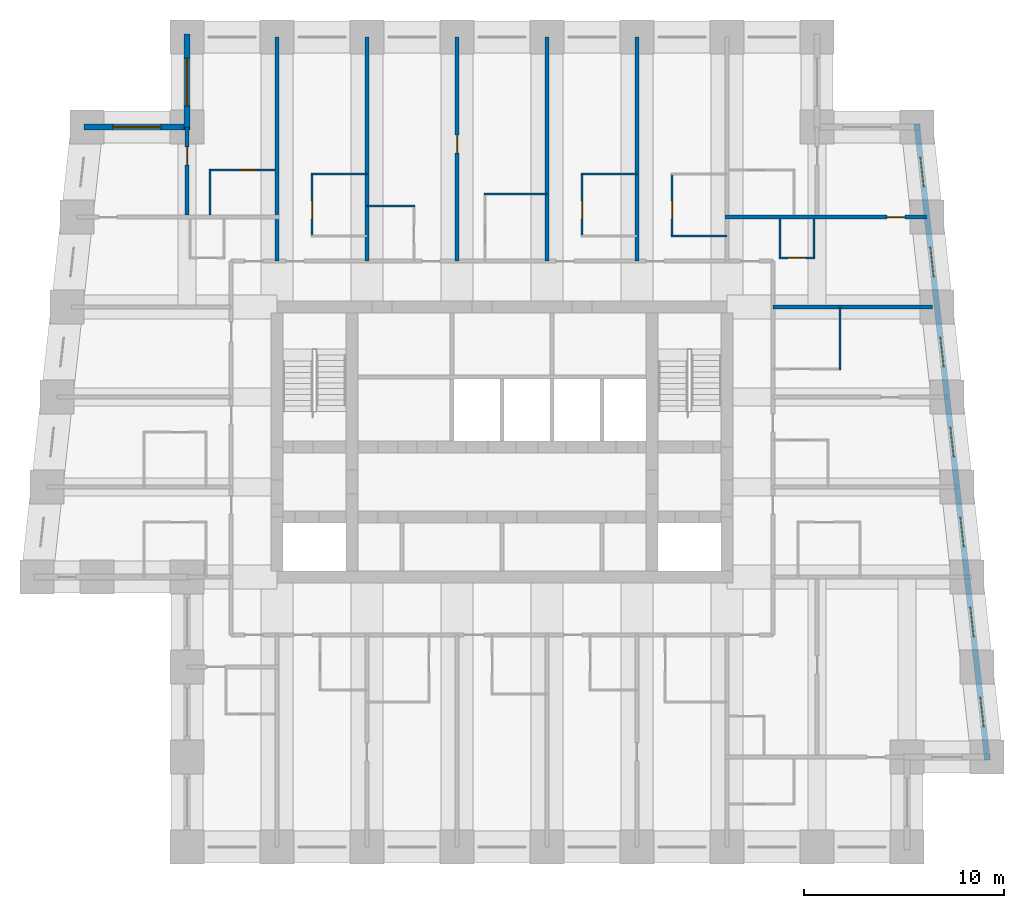
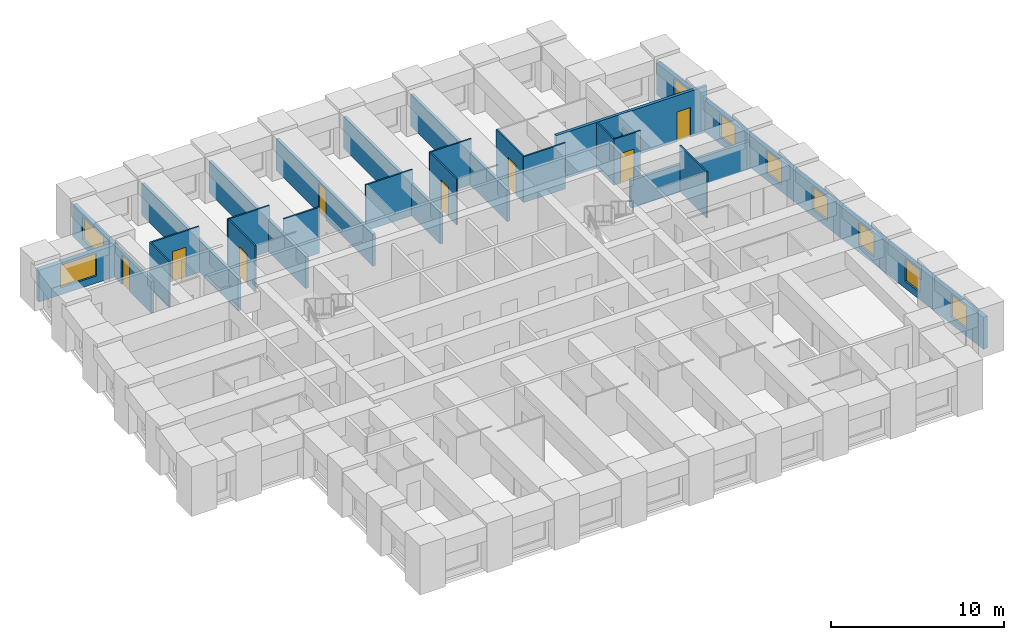
# One storey, part 6 of 8: 25 walls, 9 windows, 8 doors, 17 openings.
"""IFC4 building model written with IfcOpenShell, lengths in metres."""

import ifcopenshell
import ifcopenshell.guid

model = None  # the IFC model being written
_history = None  # IfcOwnerHistory: only IFC2X3 demands one
_inside = {}  # id of a spatial element -> (the spatial element, [elements in it])
_under = {}  # id of a project, library or spatial element -> (it, [spatial elements below it])
_declared = {}  # id of a project -> (the project, [libraries it declares])
_typed = {}  # id of a type object -> (the type object, [elements of that type])
_made_of = {}  # id of a material, layer set ... -> (it, [elements and type objects made of it])


def new_model(schema):
    """Start an empty IFC model of exactly this schema.

    Asked for "IFC4X3", IfcOpenShell would pick the latest addendum, in which some entities
    have other attributes; the version numbers below select the first issue.
    IFC2X3 requires an IfcOwnerHistory on every rooted entity: one is made here for all.
    """
    global model, _history
    if schema == "IFC4X3":
        model = ifcopenshell.file(schema_version=(4, 3, 0, 0))
    else:
        model = ifcopenshell.file(schema=schema)
    _inside.clear()
    _under.clear()
    _declared.clear()
    _typed.clear()
    _made_of.clear()
    _history = None
    if model.schema == "IFC2X3":
        org = make("IfcOrganization", Name="unknown")
        user = make(
            "IfcPersonAndOrganization",
            ThePerson=make("IfcPerson", FamilyName="unknown"),
            TheOrganization=org,
        )
        app = make(
            "IfcApplication",
            ApplicationDeveloper=org,
            Version="unknown",
            ApplicationFullName="unknown",
            ApplicationIdentifier="unknown",
        )
        _history = make(
            "IfcOwnerHistory",
            OwningUser=user,
            OwningApplication=app,
            ChangeAction="ADDED",
            CreationDate=0,
        )
    return model


def make(cls, **values):
    """One entity of the class cls with the attributes given. An attribute that is None is left unset."""
    return model.create_entity(
        cls, **{name: value for name, value in values.items() if value is not None}
    )


def rooted(cls, **values):
    """An entity with a GlobalId (a new one), such as an element, a storey or a relation."""
    return make(cls, GlobalId=ifcopenshell.guid.new(), OwnerHistory=_history, **values)


def si_unit(unit_type, name, prefix=None):
    """IfcSIUnit, for example si_unit("LENGTHUNIT", "METRE", prefix="MILLI")."""
    return make("IfcSIUnit", UnitType=unit_type, Prefix=prefix, Name=name)


def assignment(units):
    """IfcUnitAssignment: the units of a project."""
    return None if units is None else make("IfcUnitAssignment", Units=units)


def point(xyz):
    """IfcCartesianPoint."""
    return None if xyz is None else make("IfcCartesianPoint", Coordinates=xyz)


def direction(xyz):
    """IfcDirection."""
    return None if xyz is None else make("IfcDirection", DirectionRatios=xyz)


def frame(location, z_axis=None, x_axis=None):
    """IfcAxis2Placement3D, a coordinate frame: its origin and axes. An axis left out is left unset."""
    return make(
        "IfcAxis2Placement3D",
        Location=point(location),
        Axis=direction(z_axis),
        RefDirection=direction(x_axis),
    )


def frame_2d(location, x_axis=None):
    """IfcAxis2Placement2D, a coordinate frame in the plane: its origin and x axis."""
    return make(
        "IfcAxis2Placement2D", Location=point(location), RefDirection=direction(x_axis)
    )


def origin():
    """The frame at (0, 0, 0) with its axes left unset."""
    return frame((0.0, 0.0, 0.0))


def place(relative_to, where):
    """IfcLocalPlacement: puts the frame where relative to a parent placement (None: the world)."""
    return make(
        "IfcLocalPlacement", PlacementRelTo=relative_to, RelativePlacement=where
    )


def context(
    kind, dimensions, precision=None, world=None, true_north=None, identifier=None
):
    """IfcGeometricRepresentationContext, for example the 3D "Model" context."""
    return make(
        "IfcGeometricRepresentationContext",
        ContextIdentifier=identifier,
        ContextType=kind,
        CoordinateSpaceDimension=dimensions,
        Precision=precision,
        WorldCoordinateSystem=world,
        TrueNorth=true_north,
    )


def subcontext(parent, identifier, kind, view, scale=None):
    """IfcGeometricRepresentationSubContext, for example "Body" below "Model"."""
    return make(
        "IfcGeometricRepresentationSubContext",
        ContextIdentifier=identifier,
        ContextType=kind,
        ParentContext=parent,
        TargetScale=scale,
        TargetView=view,
    )


def project(units=None, contexts=None):
    """IfcProject with its units and contexts."""
    return rooted(
        "IfcProject",
        Name="project",
        RepresentationContexts=contexts,
        UnitsInContext=assignment(units),
    )


def spatial(cls, under=None, at=None, **own):
    """A site, building, storey or space (cls), placed at a placement, below another one or the project."""
    s = rooted(cls, ObjectPlacement=at, **own)
    if under is not None:
        _under.setdefault(under.id(), (under, []))[1].append(s)
    return s


def profile(cls, at=None, kind="AREA", **sizes):
    """A parametric profile (cls). Its sizes go by their IFC names, for example OverallWidth=200.0."""
    return make(cls, ProfileType=kind, Position=at, **sizes)


def rectangle(**sizes):
    """IfcRectangleProfileDef."""
    return profile("IfcRectangleProfileDef", **sizes)


def extrude(swept, where, along, depth):
    """IfcExtrudedAreaSolid: the profile swept, set in the frame where, extruded along a direction by depth."""
    return make(
        "IfcExtrudedAreaSolid",
        SweptArea=swept,
        Position=where,
        ExtrudedDirection=direction(along),
        Depth=depth,
    )


def shape(context_of_items, identifier, shape_type, items):
    """IfcShapeRepresentation: the items that make up one representation, for example the "Body"."""
    return make(
        "IfcShapeRepresentation",
        ContextOfItems=context_of_items,
        RepresentationIdentifier=identifier,
        RepresentationType=shape_type,
        Items=items,
    )


def material(Name=None, Category=None):
    """IfcMaterial."""
    return make("IfcMaterial", Name=Name, Category=Category)


def layer(
    of_material, thickness, ventilated=None, Name=None, Category=None, Priority=None
):
    """IfcMaterialLayer: one layer of a wall or slab, of a material (None: an air gap)."""
    return make(
        "IfcMaterialLayer",
        Material=of_material,
        LayerThickness=thickness,
        IsVentilated=ventilated,
        Name=Name,
        Category=Category,
        Priority=Priority,
    )


def layer_set(layers, Name=None):
    """IfcMaterialLayerSet."""
    return make("IfcMaterialLayerSet", MaterialLayers=layers, LayerSetName=Name)


def made_of(thing, what):
    """Note that an element or type object is made of a material, layer set ...; save() writes the relation."""
    if what is not None:
        _made_of.setdefault(what.id(), (what, []))[1].append(thing)
    return thing


def type_object(cls, material=None, **own):
    """A type object (cls), such as IfcWallType, which elements share."""
    return made_of(rooted(cls, **own), material)


def element(
    cls,
    number,
    at=None,
    inside=None,
    cuts=None,
    type_object=None,
    material=None,
    context=None,
    identifier="Body",
    shape_type=None,
    held_by="IfcProductDefinitionShape",
    body=None,
    shapes=None,
    **own,
):
    """One element of the class cls, such as IfcWall. Its Tag is "e" and its number.

    at: its placement. inside: the storey or other place that contains it. cuts: it is an
    opening in that element (IfcRelVoidsElement). A single representation is given by context,
    identifier, shape_type and body (its items); several are given by shapes. held_by: the class
    of the entity that holds the representations. save() writes the other relations.
    """
    e = rooted(cls, Tag="e%d" % number, ObjectPlacement=at, **own)
    if body is not None:
        shapes = [shape(context, identifier, shape_type, body)]
    if shapes is not None:
        e.Representation = make(held_by, Representations=shapes)
    if inside is not None:
        _inside.setdefault(inside.id(), (inside, []))[1].append(e)
    if cuts is not None:
        rooted(
            "IfcRelVoidsElement", RelatingBuildingElement=cuts, RelatedOpeningElement=e
        )
    if type_object is not None:
        _typed.setdefault(type_object.id(), (type_object, []))[1].append(e)
    return made_of(e, material)


def fill(opening, filler):
    """IfcRelFillsElement: the door or window that sits in an opening."""
    return rooted(
        "IfcRelFillsElement",
        RelatingOpeningElement=opening,
        RelatedBuildingElement=filler,
    )


def aggregate(whole, parts):
    """IfcRelAggregates: a whole, such as a stair, and the parts it consists of."""
    return rooted("IfcRelAggregates", RelatingObject=whole, RelatedObjects=parts)


def save(model, path):
    """Write the relations noted so far, then the file.

    IfcRelAggregates (storeys below a building ...), IfcRelContainedInSpatialStructure (elements
    in a storey), IfcRelDefinesByType, IfcRelAssociatesMaterial and IfcRelDeclares: one each for
    every whole, place, type object, material and project.
    """
    for whole, parts in _under.values():
        aggregate(whole, parts)
    for where, things in _inside.values():
        rooted(
            "IfcRelContainedInSpatialStructure",
            RelatedElements=things,
            RelatingStructure=where,
        )
    for kind, things in _typed.values():
        rooted("IfcRelDefinesByType", RelatedObjects=things, RelatingType=kind)
    for what, things in _made_of.values():
        rooted("IfcRelAssociatesMaterial", RelatedObjects=things, RelatingMaterial=what)
    for by, libraries in _declared.values():
        rooted("IfcRelDeclares", RelatingContext=by, RelatedDefinitions=libraries)
    model.write(path)


model = new_model("IFC4")

# Units and contexts
model_context = context("Model", 3, precision=1e-05, world=origin(), true_north=direction((0.0, 1.0)))
body_context = subcontext(model_context, "Body", "Model", "MODEL_VIEW")
ifc_project = project(units=[si_unit("LENGTHUNIT", "METRE"), si_unit("AREAUNIT", "SQUARE_METRE"), si_unit("VOLUMEUNIT", "CUBIC_METRE"), si_unit("PLANEANGLEUNIT", "RADIAN"), si_unit("MASSUNIT", "GRAM", prefix="KILO")], contexts=[model_context])

# Site, building, storey
site_placement = place(None, origin())
site = spatial("IfcSite", under=ifc_project, at=site_placement, CompositionType="ELEMENT")
building_placement = place(site_placement, origin())
building = spatial("IfcBuilding", under=site, at=building_placement, Name="Kilele Tower Hotel", CompositionType="ELEMENT")
storey_placement = place(building_placement, frame((0.0, 0.0, 169.39990234375)))
storey = spatial("IfcBuildingStorey", under=building, at=storey_placement, Name="L43", CompositionType="ELEMENT", Elevation=169.39990234375)

# Walls
ifc_material_1 = material(Name="Moisture-resistant board")
ifc_layer_1 = layer(ifc_material_1, 0.10009765625)
ifc_layer_set_1 = layer_set([ifc_layer_1], Name="Moisture-resistant board")
wall_type_1 = type_object("IfcWallType", Name="Bathroom partition 100", PredefinedType="PLUMBINGWALL", material=ifc_layer_set_1)
wall_1_placement = place(storey_placement, frame((41.64990234375, 23.85009765625, 0.0), z_axis=(0.0, 0.0, 1.0), x_axis=(0.0, 1.0, 0.0)))
element("IfcWall", 1, at=wall_1_placement, inside=storey, type_object=wall_type_1, Name="Bathroom partition 100 L43", PredefinedType="PLUMBINGWALL", context=body_context, shape_type="SweptSolid", body=[
    extrude(rectangle(XDim=3.14990234375, YDim=0.10009765625, at=frame_2d((1.574951171875, 0.0))), origin(), (0.0, 0.0, 1.0), 3.25),
])
wall_2_placement = place(storey_placement, frame((15.199951171875, 33.64990234375, 0.0), z_axis=(0.0, 0.0, 1.0), x_axis=(1.0, 0.0, 0.0)))
element("IfcWall", 2, at=wall_2_placement, inside=storey, type_object=wall_type_1, Name="Bathroom partition 100 L43", PredefinedType="PLUMBINGWALL", context=body_context, shape_type="SweptSolid", body=[
    extrude(rectangle(XDim=2.800048828125, YDim=0.10009765625, at=frame_2d((1.39990234375, 0.0))), origin(), (0.0, 0.0, 1.0), 3.25),
])

# Wall, opening, door
wall_3_placement = place(storey_placement, frame((15.25, 30.5, 0.0), z_axis=(0.0, 0.0, 1.0), x_axis=(0.0, 1.0, 0.0)))
wall_3 = element("IfcWall", 3, at=wall_3_placement, inside=storey, type_object=wall_type_1, Name="Bathroom partition 100 L43", PredefinedType="PLUMBINGWALL", context=body_context, shape_type="SweptSolid", body=[
    extrude(rectangle(XDim=3.199951171875, YDim=0.10009765625, at=frame_2d((1.60009765625, 0.0))), origin(), (0.0, 0.0, 1.0), 3.25),
])
opening_1_placement = place(wall_3_placement, frame((0.89990234375, 0.0, 0.0)))
opening_1 = element("IfcOpeningElement", 4, at=opening_1_placement, cuts=wall_3, Name="Opening D2A", PredefinedType="OPENING", context=body_context, shape_type="SweptSolid", body=[
    extrude(rectangle(XDim=0.89990234375, YDim=2.10009765625, at=frame_2d((0.449951171875, 1.050048828125))), frame((0.0, 0.06005859375, 0.0), z_axis=(0.0, -1.0, 0.0), x_axis=(1.0, 0.0, 0.0)), (0.0, 0.0, 1.0), 0.1201171875),
])
ifc_material_2 = material(Name="Timber door leaf in hardwood frame", Category="wood")
door_type_1 = type_object("IfcDoorType", Name="Bathroom door 900", OperationType="SINGLE_SWING_LEFT", PredefinedType="DOOR", material=ifc_material_2)
door_1_placement = place(opening_1_placement, origin())
door_1 = element("IfcDoor", 5, at=door_1_placement, inside=storey, type_object=door_type_1, Name="Bathroom door 4309B", OperationType="SINGLE_SWING_LEFT", OverallHeight=2.10009765625, OverallWidth=0.89990234375, PredefinedType="DOOR", context=body_context, shape_type="SweptSolid", body=[
    extrude(rectangle(XDim=0.89990234375, YDim=2.10009765625, at=frame_2d((0.449951171875, 1.050048828125))), frame((0.0, 0.02490234375, 0.0), z_axis=(0.0, -1.0, 0.0), x_axis=(1.0, 0.0, 0.0)), (0.0, 0.0, 1.0), 0.050048828125),
])
fill(opening_1, door_1)

# Walls
wall_4_placement = place(storey_placement, frame((18.0, 32.050048828125, 0.0), z_axis=(0.0, 0.0, 1.0), x_axis=(1.0, 0.0, 0.0)))
element("IfcWall", 6, at=wall_4_placement, inside=storey, type_object=wall_type_1, Name="Bathroom partition 100 L43", PredefinedType="PLUMBINGWALL", context=body_context, shape_type="SweptSolid", body=[
    extrude(rectangle(XDim=2.39990234375, YDim=0.10009765625, at=frame_2d((1.199951171875, 0.0))), origin(), (0.0, 0.0, 1.0), 3.25),
])
wall_5_placement = place(storey_placement, frame((23.85009765625, 32.64990234375, 0.0), z_axis=(0.0, 0.0, 1.0), x_axis=(1.0, 0.0, 0.0)))
element("IfcWall", 7, at=wall_5_placement, inside=storey, type_object=wall_type_1, Name="Bathroom partition 100 L43", PredefinedType="PLUMBINGWALL", context=body_context, shape_type="SweptSolid", body=[
    extrude(rectangle(XDim=3.14990234375, YDim=0.10009765625, at=frame_2d((1.574951171875, 0.0))), origin(), (0.0, 0.0, 1.0), 3.25),
])
wall_6_placement = place(storey_placement, frame((28.699951171875, 33.64990234375, 0.0), z_axis=(0.0, 0.0, 1.0), x_axis=(1.0, 0.0, 0.0)))
element("IfcWall", 8, at=wall_6_placement, inside=storey, type_object=wall_type_1, Name="Bathroom partition 100 L43", PredefinedType="PLUMBINGWALL", context=body_context, shape_type="SweptSolid", body=[
    extrude(rectangle(XDim=2.800048828125, YDim=0.10009765625, at=frame_2d((1.39990234375, 0.0))), origin(), (0.0, 0.0, 1.0), 3.25),
])

# Wall, opening, door
wall_7_placement = place(storey_placement, frame((28.75, 30.5, 0.0), z_axis=(0.0, 0.0, 1.0), x_axis=(0.0, 1.0, 0.0)))
wall_7 = element("IfcWall", 9, at=wall_7_placement, inside=storey, type_object=wall_type_1, Name="Bathroom partition 100 L43", PredefinedType="PLUMBINGWALL", context=body_context, shape_type="SweptSolid", body=[
    extrude(rectangle(XDim=3.199951171875, YDim=0.10009765625, at=frame_2d((1.60009765625, 0.0))), origin(), (0.0, 0.0, 1.0), 3.25),
])
opening_2_placement = place(wall_7_placement, frame((0.89990234375, 0.0, 0.0)))
opening_2 = element("IfcOpeningElement", 10, at=opening_2_placement, cuts=wall_7, Name="Opening D2A", PredefinedType="OPENING", context=body_context, shape_type="SweptSolid", body=[
    extrude(rectangle(XDim=0.89990234375, YDim=2.10009765625, at=frame_2d((0.449951171875, 1.050048828125))), frame((0.0, 0.06005859375, 0.0), z_axis=(0.0, -1.0, 0.0), x_axis=(1.0, 0.0, 0.0)), (0.0, 0.0, 1.0), 0.1201171875),
])
door_2_placement = place(opening_2_placement, origin())
door_2 = element("IfcDoor", 11, at=door_2_placement, inside=storey, type_object=door_type_1, Name="Bathroom door 4312B", OperationType="SINGLE_SWING_LEFT", OverallHeight=2.10009765625, OverallWidth=0.89990234375, PredefinedType="DOOR", context=body_context, shape_type="SweptSolid", body=[
    extrude(rectangle(XDim=0.89990234375, YDim=2.10009765625, at=frame_2d((0.449951171875, 1.050048828125))), frame((0.0, 0.02490234375, 0.0), z_axis=(0.0, -1.0, 0.0), x_axis=(1.0, 0.0, 0.0)), (0.0, 0.0, 1.0), 0.050048828125),
])
fill(opening_2, door_2)

# Wall
wall_8_placement = place(storey_placement, frame((33.199951171875, 30.550048828125, 0.0), z_axis=(0.0, 0.0, 1.0), x_axis=(1.0, 0.0, 0.0)))
element("IfcWall", 12, at=wall_8_placement, inside=storey, type_object=wall_type_1, Name="Bathroom partition 100 L43", PredefinedType="PLUMBINGWALL", context=body_context, shape_type="SweptSolid", body=[
    extrude(rectangle(XDim=2.800048828125, YDim=0.10009765625, at=frame_2d((1.39990234375, 0.0))), origin(), (0.0, 0.0, 1.0), 3.25),
])

# Wall, opening, door
wall_9_placement = place(storey_placement, frame((33.25, 30.5, 0.0), z_axis=(0.0, 0.0, 1.0), x_axis=(0.0, 1.0, 0.0)))
wall_9 = element("IfcWall", 13, at=wall_9_placement, inside=storey, type_object=wall_type_1, Name="Bathroom partition 100 L43", PredefinedType="PLUMBINGWALL", context=body_context, shape_type="SweptSolid", body=[
    extrude(rectangle(XDim=3.199951171875, YDim=0.10009765625, at=frame_2d((1.60009765625, 0.0))), origin(), (0.0, 0.0, 1.0), 3.25),
])
opening_3_placement = place(wall_9_placement, frame((0.89990234375, 0.0, 0.0)))
opening_3 = element("IfcOpeningElement", 14, at=opening_3_placement, cuts=wall_9, Name="Opening D2A", PredefinedType="OPENING", context=body_context, shape_type="SweptSolid", body=[
    extrude(rectangle(XDim=0.89990234375, YDim=2.10009765625, at=frame_2d((0.449951171875, 1.050048828125))), frame((0.0, 0.06005859375, 0.0), z_axis=(0.0, -1.0, 0.0), x_axis=(1.0, 0.0, 0.0)), (0.0, 0.0, 1.0), 0.1201171875),
])
door_3_placement = place(opening_3_placement, origin())
door_3 = element("IfcDoor", 15, at=door_3_placement, inside=storey, type_object=door_type_1, Name="Bathroom door 4313B", OperationType="SINGLE_SWING_LEFT", OverallHeight=2.10009765625, OverallWidth=0.89990234375, PredefinedType="DOOR", context=body_context, shape_type="SweptSolid", body=[
    extrude(rectangle(XDim=0.89990234375, YDim=2.10009765625, at=frame_2d((0.449951171875, 1.050048828125))), frame((0.0, 0.02490234375, 0.0), z_axis=(0.0, -1.0, 0.0), x_axis=(1.0, 0.0, 0.0)), (0.0, 0.0, 1.0), 0.050048828125),
])
fill(opening_3, door_3)

# Walls
wall_10_placement = place(storey_placement, frame((40.35009765625, 31.39990234375, 0.0), z_axis=(0.0, 0.0, 1.0), x_axis=(0.0, -1.0, 0.0)))
element("IfcWall", 16, at=wall_10_placement, inside=storey, type_object=wall_type_1, Name="Bathroom partition 100 L43", PredefinedType="PLUMBINGWALL", context=body_context, shape_type="SweptSolid", body=[
    extrude(rectangle(XDim=2.0, YDim=0.10009765625, at=frame_2d((1.0, 0.0))), origin(), (0.0, 0.0, 1.0), 2.25),
])
wall_11_placement = place(storey_placement, frame((38.64990234375, 31.39990234375, 0.0), z_axis=(0.0, 0.0, 1.0), x_axis=(0.0, -1.0, 0.0)))
element("IfcWall", 17, at=wall_11_placement, inside=storey, type_object=wall_type_1, Name="Bathroom partition 100 L43", PredefinedType="PLUMBINGWALL", context=body_context, shape_type="SweptSolid", body=[
    extrude(rectangle(XDim=2.0, YDim=0.10009765625, at=frame_2d((1.0, 0.0))), origin(), (0.0, 0.0, 1.0), 3.25),
])

# Wall, opening, door
wall_12_placement = place(storey_placement, frame((38.60009765625, 29.449951171875, 0.0), z_axis=(0.0, 0.0, 1.0), x_axis=(1.0, 0.0, 0.0)))
wall_12 = element("IfcWall", 18, at=wall_12_placement, inside=storey, type_object=wall_type_1, Name="Bathroom partition 100 L43", PredefinedType="PLUMBINGWALL", context=body_context, shape_type="SweptSolid", body=[
    extrude(rectangle(XDim=1.7998046875, YDim=0.10009765625, at=frame_2d((0.89990234375, 0.0))), origin(), (0.0, 0.0, 1.0), 3.25),
])
opening_4_placement = place(wall_12_placement, frame((1.349853515625, 0.0, 0.0), z_axis=(0.0, 0.0, 1.0), x_axis=(-1.0, 0.0, 0.0)))
opening_4 = element("IfcOpeningElement", 19, at=opening_4_placement, cuts=wall_12, Name="Opening D2A", PredefinedType="OPENING", context=body_context, shape_type="SweptSolid", body=[
    extrude(rectangle(XDim=0.89990234375, YDim=2.10009765625, at=frame_2d((0.449951171875, 1.050048828125))), frame((0.0, 0.06005859375, 0.0), z_axis=(0.0, -1.0, 0.0), x_axis=(1.0, 0.0, 0.0)), (0.0, 0.0, 1.0), 0.1201171875),
])
door_4_placement = place(opening_4_placement, origin())
door_4 = element("IfcDoor", 20, at=door_4_placement, inside=storey, type_object=door_type_1, Name="Bathroom door 4322P", OperationType="SINGLE_SWING_RIGHT", OverallHeight=2.10009765625, OverallWidth=0.89990234375, PredefinedType="DOOR", context=body_context, shape_type="SweptSolid", body=[
    extrude(rectangle(XDim=0.89990234375, YDim=2.10009765625, at=frame_2d((0.449951171875, 1.050048828125))), frame((0.0, 0.02490234375, 0.0), z_axis=(0.0, -1.0, 0.0), x_axis=(1.0, 0.0, 0.0)), (0.0, 0.0, 1.0), 0.050048828125),
])
fill(opening_4, door_4)

# Wall
wall_13_placement = place(storey_placement, frame((10.14990234375, 31.60009765625, 0.0), z_axis=(0.0, 0.0, 1.0), x_axis=(0.0, 1.0, 0.0)))
element("IfcWall", 21, at=wall_13_placement, inside=storey, type_object=wall_type_1, Name="Bathroom partition 100 L43", PredefinedType="PLUMBINGWALL", context=body_context, shape_type="SweptSolid", body=[
    extrude(rectangle(XDim=2.2998046875, YDim=0.10009765625, at=frame_2d((1.14990234375, 0.0))), origin(), (0.0, 0.0, 1.0), 3.25),
])

# Wall, opening, door
wall_14_placement = place(storey_placement, frame((13.39990234375, 33.85009765625, 0.0), z_axis=(0.0, 0.0, 1.0), x_axis=(-1.0, 0.0, 0.0)))
wall_14 = element("IfcWall", 22, at=wall_14_placement, inside=storey, type_object=wall_type_1, Name="Bathroom partition 100 L43", PredefinedType="PLUMBINGWALL", context=body_context, shape_type="SweptSolid", body=[
    extrude(rectangle(XDim=3.2998046875, YDim=0.10009765625, at=frame_2d((1.64990234375, 0.0))), origin(), (0.0, 0.0, 1.0), 3.25),
])
opening_5_placement = place(wall_14_placement, frame((1.7998046875, 0.0, 0.0), z_axis=(0.0, 0.0, 1.0), x_axis=(-1.0, 0.0, 0.0)))
opening_5 = element("IfcOpeningElement", 23, at=opening_5_placement, cuts=wall_14, Name="Opening D2A", PredefinedType="OPENING", context=body_context, shape_type="SweptSolid", body=[
    extrude(rectangle(XDim=0.89990234375, YDim=2.10009765625, at=frame_2d((0.449951171875, 1.050048828125))), frame((0.0, 0.06005859375, 0.0), z_axis=(0.0, -1.0, 0.0), x_axis=(1.0, 0.0, 0.0)), (0.0, 0.0, 1.0), 0.1201171875),
])
door_5_placement = place(opening_5_placement, origin())
door_5 = element("IfcDoor", 24, at=door_5_placement, inside=storey, type_object=door_type_1, Name="Bathroom door 4326B", OperationType="SINGLE_SWING_RIGHT", OverallHeight=2.10009765625, OverallWidth=0.89990234375, PredefinedType="DOOR", context=body_context, shape_type="SweptSolid", body=[
    extrude(rectangle(XDim=0.89990234375, YDim=2.10009765625, at=frame_2d((0.449951171875, 1.050048828125))), frame((0.0, 0.02490234375, 0.0), z_axis=(0.0, -1.0, 0.0), x_axis=(1.0, 0.0, 0.0)), (0.0, 0.0, 1.0), 0.050048828125),
])
fill(opening_5, door_5)

ifc_material_3 = material(Name="Blockwork, plastered both sides", Category="masonry")
ifc_layer_2 = layer(ifc_material_3, 0.199951171875)
ifc_layer_set_2 = layer_set([ifc_layer_2], Name="Blockwork, plastered both sides")
wall_type_2 = type_object("IfcWallType", Name="Partition wall 200", PredefinedType="PARTITIONING", material=ifc_layer_set_2)
wall_15_placement = place(storey_placement, frame((9.0, 31.60009765625, 0.0), z_axis=(0.0, 0.0, 1.0), x_axis=(0.0, 1.0, 0.0)))
wall_15 = element("IfcWall", 25, at=wall_15_placement, inside=storey, type_object=wall_type_2, Name="Partition wall 200 L43", PredefinedType="PARTITIONING", context=body_context, shape_type="SweptSolid", body=[
    extrude(rectangle(XDim=4.39990234375, YDim=0.199951171875, at=frame_2d((2.199951171875, 0.0))), origin(), (0.0, 0.0, 1.0), 2.25),
])
opening_6_placement = place(wall_15_placement, frame((2.5, 0.0, 0.0)))
opening_6 = element("IfcOpeningElement", 26, at=opening_6_placement, cuts=wall_15, Name="Opening D3", PredefinedType="OPENING", context=body_context, shape_type="SweptSolid", body=[
    extrude(rectangle(XDim=0.89990234375, YDim=2.10009765625, at=frame_2d((0.449951171875, 1.050048828125))), frame((0.0, 0.10986328125, 0.0), z_axis=(0.0, -1.0, 0.0), x_axis=(1.0, 0.0, 0.0)), (0.0, 0.0, 1.0), 0.219970703125),
])
ifc_material_4 = material(Name="Timber door leaf in hardwood frame", Category="wood")
door_type_2 = type_object("IfcDoorType", Name="Suite internal door 900", OperationType="SINGLE_SWING_LEFT", PredefinedType="DOOR", material=ifc_material_4)
door_6_placement = place(opening_6_placement, origin())
door_6 = element("IfcDoor", 27, at=door_6_placement, inside=storey, type_object=door_type_2, Name="Suite door 4327", OperationType="SINGLE_SWING_RIGHT", OverallHeight=2.10009765625, OverallWidth=0.89990234375, PredefinedType="DOOR", context=body_context, shape_type="SweptSolid", body=[
    extrude(rectangle(XDim=0.89990234375, YDim=2.10009765625, at=frame_2d((0.449951171875, 1.050048828125))), frame((0.0, 0.02490234375, 0.0), z_axis=(0.0, -1.0, 0.0), x_axis=(1.0, 0.0, 0.0)), (0.0, 0.0, 1.0), 0.050048828125),
])
fill(opening_6, door_6)

# Wall
ifc_material_5 = material(Name="Blockwork, plastered both sides", Category="masonry")
ifc_layer_3 = layer(ifc_material_5, 0.199951171875)
ifc_layer_set_3 = layer_set([ifc_layer_3], Name="Blockwork, plastered both sides")
wall_type_3 = type_object("IfcWallType", Name="Party wall 200", PredefinedType="PARTITIONING", material=ifc_layer_set_3)
wall_16_placement = place(storey_placement, frame((18.0, 29.300048828125, 0.0), z_axis=(0.0, 0.0, 1.0), x_axis=(0.0, 1.0, 0.0)))
element("IfcWall", 28, at=wall_16_placement, inside=storey, type_object=wall_type_3, Name="Party wall 200 L43", PredefinedType="PARTITIONING", context=body_context, shape_type="SweptSolid", body=[
    extrude(rectangle(XDim=11.199951171875, YDim=0.199951171875, at=frame_2d((5.60009765625, 0.0))), origin(), (0.0, 0.0, 1.0), 2.25),
])

# Wall, opening, door
wall_17_placement = place(storey_placement, frame((22.5, 29.300048828125, 0.0), z_axis=(0.0, 0.0, 1.0), x_axis=(0.0, 1.0, 0.0)))
wall_17 = element("IfcWall", 29, at=wall_17_placement, inside=storey, type_object=wall_type_3, Name="Party wall 200 L43", PredefinedType="PARTITIONING", context=body_context, shape_type="SweptSolid", body=[
    extrude(rectangle(XDim=11.199951171875, YDim=0.199951171875, at=frame_2d((5.60009765625, 0.0))), origin(), (0.0, 0.0, 1.0), 2.25),
])
opening_7_placement = place(wall_17_placement, frame((5.39990234375, 0.0, 0.0)))
opening_7 = element("IfcOpeningElement", 30, at=opening_7_placement, cuts=wall_17, Name="Opening D3", PredefinedType="OPENING", context=body_context, shape_type="SweptSolid", body=[
    extrude(rectangle(XDim=0.89990234375, YDim=2.10009765625, at=frame_2d((0.449951171875, 1.050048828125))), frame((0.0, 0.10986328125, 0.0), z_axis=(0.0, -1.0, 0.0), x_axis=(1.0, 0.0, 0.0)), (0.0, 0.0, 1.0), 0.219970703125),
])
door_7_placement = place(opening_7_placement, origin())
door_7 = element("IfcDoor", 31, at=door_7_placement, inside=storey, type_object=door_type_2, Name="Suite door 4311", OperationType="SINGLE_SWING_RIGHT", OverallHeight=2.10009765625, OverallWidth=0.89990234375, PredefinedType="DOOR", context=body_context, shape_type="SweptSolid", body=[
    extrude(rectangle(XDim=0.89990234375, YDim=2.10009765625, at=frame_2d((0.449951171875, 1.050048828125))), frame((0.0, 0.02490234375, 0.0), z_axis=(0.0, -1.0, 0.0), x_axis=(1.0, 0.0, 0.0)), (0.0, 0.0, 1.0), 0.050048828125),
])
fill(opening_7, door_7)

# Walls
for number, where, z_axis, x_axis, name in (
    (32, (27.0, 29.300048828125, 0.0), (0.0, 0.0, 1.0), (0.0, 1.0, 0.0), "Party wall 200 L43"),
    (33, (31.5, 29.300048828125, 0.0), (0.0, 0.0, 1.0), (0.0, 1.0, 0.0), "Party wall 200 L43"),
):
    element("IfcWall", number, at=place(storey_placement, frame(where, z_axis=z_axis, x_axis=x_axis)), inside=storey, type_object=wall_type_3, Name=name, PredefinedType="PARTITIONING", context=body_context, shape_type="SweptSolid", body=[
        extrude(rectangle(XDim=11.199951171875, YDim=0.199951171875, at=frame_2d((5.60009765625, 0.0))), origin(), (0.0, 0.0, 1.0), 2.25),
    ])
wall_18_placement = place(storey_placement, frame((38.300048828125, 27.0, 0.0), z_axis=(0.0, 0.0, 1.0), x_axis=(1.0, 0.0, 0.0)))
element("IfcWall", 34, at=wall_18_placement, inside=storey, type_object=wall_type_3, Name="Party wall 200 L43", PredefinedType="PARTITIONING", context=body_context, shape_type="SweptSolid", body=[
    extrude(rectangle(XDim=7.976806640625, YDim=0.199951171875, at=frame_2d((3.98828125, 0.0))), origin(), (0.0, 0.0, 1.0), 1.9501953125),
])

# Wall, opening, door
wall_19_placement = place(storey_placement, frame((35.89990234375, 31.5, 0.0), z_axis=(0.0, 0.0, 1.0), x_axis=(1.0, 0.0, 0.0)))
wall_19 = element("IfcWall", 35, at=wall_19_placement, inside=storey, type_object=wall_type_3, Name="Party wall 200 L43", PredefinedType="PARTITIONING", context=body_context, shape_type="SweptSolid", body=[
    extrude(rectangle(XDim=10.09912109375, YDim=0.199951171875, at=frame_2d((5.049560546875, 0.0))), origin(), (0.0, 0.0, 1.0), 3.25),
])
opening_8_placement = place(wall_19_placement, frame((8.09912109375, 0.0, 0.0)))
opening_8 = element("IfcOpeningElement", 36, at=opening_8_placement, cuts=wall_19, Name="Opening D3", PredefinedType="OPENING", context=body_context, shape_type="SweptSolid", body=[
    extrude(rectangle(XDim=0.89990234375, YDim=2.10009765625, at=frame_2d((0.449951171875, 1.050048828125))), frame((0.0, 0.10986328125, 0.0), z_axis=(0.0, -1.0, 0.0), x_axis=(1.0, 0.0, 0.0)), (0.0, 0.0, 1.0), 0.219970703125),
])
door_8_placement = place(opening_8_placement, origin())
door_8 = element("IfcDoor", 37, at=door_8_placement, inside=storey, type_object=door_type_2, Name="Suite door 4323", OperationType="SINGLE_SWING_RIGHT", OverallHeight=2.10009765625, OverallWidth=0.89990234375, PredefinedType="DOOR", context=body_context, shape_type="SweptSolid", body=[
    extrude(rectangle(XDim=0.89990234375, YDim=2.10009765625, at=frame_2d((0.449951171875, 1.050048828125))), frame((0.0, 0.02490234375, 0.0), z_axis=(0.0, -1.0, 0.0), x_axis=(1.0, 0.0, 0.0)), (0.0, 0.0, 1.0), 0.050048828125),
])
fill(opening_8, door_8)

# Wall
wall_20_placement = place(storey_placement, frame((13.5, 29.300048828125, 0.0), z_axis=(0.0, 0.0, 1.0), x_axis=(0.0, 1.0, 0.0)))
element("IfcWall", 38, at=wall_20_placement, inside=storey, type_object=wall_type_3, Name="Party wall 200 L43", PredefinedType="PARTITIONING", context=body_context, shape_type="SweptSolid", body=[
    extrude(rectangle(XDim=11.199951171875, YDim=0.199951171875, at=frame_2d((5.60009765625, 0.0))), origin(), (0.0, 0.0, 1.0), 2.25),
])

# Wall, openings, windows
ifc_material_6 = material(Name="Concrete C40/50 precast", Category="concrete")
ifc_layer_4 = layer(ifc_material_6, 0.260009765625, Name="Precast backing", Category="LoadBearing")
ifc_material_7 = material(Name="Reconstituted stone finish", Category="masonry")
ifc_layer_5 = layer(ifc_material_7, 0.0400390625, Name="Face mix", Category="Finish")
ifc_layer_set_4 = layer_set([ifc_layer_4, ifc_layer_5], Name="Precast concrete C40/50, reconstituted stone finish")
wall_type_4 = type_object("IfcWallType", Name="Precast stone facade wall 300", PredefinedType="STANDARD", material=ifc_layer_set_4)
wall_21_placement = place(storey_placement, frame((49.0166015625, 4.350830078125, 0.0), z_axis=(0.0, 0.0, 1.0), x_axis=(-0.110433201132, 0.993883548555, 0.0)))
wall_21 = element("IfcWall", 39, at=wall_21_placement, inside=storey, type_object=wall_type_4, Name="Facade wall L43 edge 6", PredefinedType="STANDARD", context=body_context, shape_type="SweptSolid", body=[
    extrude(rectangle(XDim=31.994140625, YDim=0.300048828125, at=frame_2d((15.9970703125, 0.0))), origin(), (0.0, 0.0, 1.0), 2.25),
])
opening_9_placement = place(wall_21_placement, frame((1.6640625, 0.0, 0.5)))
opening_9 = element("IfcOpeningElement", 40, at=opening_9_placement, cuts=wall_21, Name="Opening W3", PredefinedType="OPENING", context=body_context, shape_type="SweptSolid", body=[
    extrude(rectangle(XDim=1.5, YDim=1.60009765625, at=frame_2d((0.75, 0.800048828125))), frame((0.0, 0.159912109375, 0.0), z_axis=(0.0, -1.0, 0.0), x_axis=(1.0, 0.0, 0.0)), (0.0, 0.0, 1.0), 0.320068359375),
])
opening_10_placement = place(wall_21_placement, frame((6.19189453125, 0.0, 0.5)))
opening_10 = element("IfcOpeningElement", 41, at=opening_10_placement, cuts=wall_21, Name="Opening W3", PredefinedType="OPENING", context=body_context, shape_type="SweptSolid", body=[
    extrude(rectangle(XDim=1.5, YDim=1.60009765625, at=frame_2d((0.75, 0.800048828125))), frame((0.0, 0.159912109375, 0.0), z_axis=(0.0, -1.0, 0.0), x_axis=(1.0, 0.0, 0.0)), (0.0, 0.0, 1.0), 0.320068359375),
])
opening_11_placement = place(wall_21_placement, frame((10.718994140625, 0.0, 0.5)))
opening_11 = element("IfcOpeningElement", 42, at=opening_11_placement, cuts=wall_21, Name="Opening W3", PredefinedType="OPENING", context=body_context, shape_type="SweptSolid", body=[
    extrude(rectangle(XDim=1.5, YDim=1.60009765625, at=frame_2d((0.75, 0.800048828125))), frame((0.0, 0.159912109375, 0.0), z_axis=(0.0, -1.0, 0.0), x_axis=(1.0, 0.0, 0.0)), (0.0, 0.0, 1.0), 0.320068359375),
])
opening_12_placement = place(wall_21_placement, frame((15.2470703125, 0.0, 0.5)))
opening_12 = element("IfcOpeningElement", 43, at=opening_12_placement, cuts=wall_21, Name="Opening W3", PredefinedType="OPENING", context=body_context, shape_type="SweptSolid", body=[
    extrude(rectangle(XDim=1.5, YDim=1.60009765625, at=frame_2d((0.75, 0.800048828125))), frame((0.0, 0.159912109375, 0.0), z_axis=(0.0, -1.0, 0.0), x_axis=(1.0, 0.0, 0.0)), (0.0, 0.0, 1.0), 0.320068359375),
])
opening_13_placement = place(wall_21_placement, frame((19.77490234375, 0.0, 0.5)))
opening_13 = element("IfcOpeningElement", 44, at=opening_13_placement, cuts=wall_21, Name="Opening W3", PredefinedType="OPENING", context=body_context, shape_type="SweptSolid", body=[
    extrude(rectangle(XDim=1.5, YDim=1.60009765625, at=frame_2d((0.75, 0.800048828125))), frame((0.0, 0.159912109375, 0.0), z_axis=(0.0, -1.0, 0.0), x_axis=(1.0, 0.0, 0.0)), (0.0, 0.0, 1.0), 0.320068359375),
])
opening_14_placement = place(wall_21_placement, frame((24.302001953125, 0.0, 0.5)))
opening_14 = element("IfcOpeningElement", 45, at=opening_14_placement, cuts=wall_21, Name="Opening W3", PredefinedType="OPENING", context=body_context, shape_type="SweptSolid", body=[
    extrude(rectangle(XDim=1.5, YDim=1.60009765625, at=frame_2d((0.75, 0.800048828125))), frame((0.0, 0.159912109375, 0.0), z_axis=(0.0, -1.0, 0.0), x_axis=(1.0, 0.0, 0.0)), (0.0, 0.0, 1.0), 0.320068359375),
])
opening_15_placement = place(wall_21_placement, frame((28.830078125, 0.0, 0.5)))
opening_15 = element("IfcOpeningElement", 46, at=opening_15_placement, cuts=wall_21, Name="Opening W3", PredefinedType="OPENING", context=body_context, shape_type="SweptSolid", body=[
    extrude(rectangle(XDim=1.5, YDim=1.60009765625, at=frame_2d((0.75, 0.800048828125))), frame((0.0, 0.159912109375, 0.0), z_axis=(0.0, -1.0, 0.0), x_axis=(1.0, 0.0, 0.0)), (0.0, 0.0, 1.0), 0.320068359375),
])
ifc_material_8 = material(Name="Aluminium frame, clear double glazing", Category="aluminium")
window_type_1 = type_object("IfcWindowType", Name="Window W3 1500 x 1600", PartitioningType="SINGLE_PANEL", PredefinedType="WINDOW", material=ifc_material_8)
window_1_placement = place(opening_9_placement, origin())
window_1 = element("IfcWindow", 47, at=window_1_placement, inside=storey, type_object=window_type_1, Name="Window L43", OverallHeight=1.60009765625, OverallWidth=1.5, PartitioningType="SINGLE_PANEL", PredefinedType="WINDOW", context=body_context, shape_type="SweptSolid", body=[
    extrude(rectangle(XDim=1.5, YDim=1.60009765625, at=frame_2d((0.75, 0.800048828125))), frame((0.0, 0.030029296875, 0.0), z_axis=(0.0, -1.0, 0.0), x_axis=(1.0, 0.0, 0.0)), (0.0, 0.0, 1.0), 0.06005859375),
])
fill(opening_9, window_1)
window_2_placement = place(opening_10_placement, origin())
window_2 = element("IfcWindow", 48, at=window_2_placement, inside=storey, type_object=window_type_1, Name="Window L43", OverallHeight=1.60009765625, OverallWidth=1.5, PartitioningType="SINGLE_PANEL", PredefinedType="WINDOW", context=body_context, shape_type="SweptSolid", body=[
    extrude(rectangle(XDim=1.5, YDim=1.60009765625, at=frame_2d((0.75, 0.800048828125))), frame((0.0, 0.030029296875, 0.0), z_axis=(0.0, -1.0, 0.0), x_axis=(1.0, 0.0, 0.0)), (0.0, 0.0, 1.0), 0.06005859375),
])
fill(opening_10, window_2)
window_3_placement = place(opening_11_placement, origin())
window_3 = element("IfcWindow", 49, at=window_3_placement, inside=storey, type_object=window_type_1, Name="Window L43", OverallHeight=1.60009765625, OverallWidth=1.5, PartitioningType="SINGLE_PANEL", PredefinedType="WINDOW", context=body_context, shape_type="SweptSolid", body=[
    extrude(rectangle(XDim=1.5, YDim=1.60009765625, at=frame_2d((0.75, 0.800048828125))), frame((0.0, 0.030029296875, 0.0), z_axis=(0.0, -1.0, 0.0), x_axis=(1.0, 0.0, 0.0)), (0.0, 0.0, 1.0), 0.06005859375),
])
fill(opening_11, window_3)
window_4_placement = place(opening_12_placement, origin())
window_4 = element("IfcWindow", 50, at=window_4_placement, inside=storey, type_object=window_type_1, Name="Window L43", OverallHeight=1.60009765625, OverallWidth=1.5, PartitioningType="SINGLE_PANEL", PredefinedType="WINDOW", context=body_context, shape_type="SweptSolid", body=[
    extrude(rectangle(XDim=1.5, YDim=1.60009765625, at=frame_2d((0.75, 0.800048828125))), frame((0.0, 0.030029296875, 0.0), z_axis=(0.0, -1.0, 0.0), x_axis=(1.0, 0.0, 0.0)), (0.0, 0.0, 1.0), 0.06005859375),
])
fill(opening_12, window_4)
window_5_placement = place(opening_13_placement, origin())
window_5 = element("IfcWindow", 51, at=window_5_placement, inside=storey, type_object=window_type_1, Name="Window L43", OverallHeight=1.60009765625, OverallWidth=1.5, PartitioningType="SINGLE_PANEL", PredefinedType="WINDOW", context=body_context, shape_type="SweptSolid", body=[
    extrude(rectangle(XDim=1.5, YDim=1.60009765625, at=frame_2d((0.75, 0.800048828125))), frame((0.0, 0.030029296875, 0.0), z_axis=(0.0, -1.0, 0.0), x_axis=(1.0, 0.0, 0.0)), (0.0, 0.0, 1.0), 0.06005859375),
])
fill(opening_13, window_5)
window_6_placement = place(opening_14_placement, origin())
window_6 = element("IfcWindow", 52, at=window_6_placement, inside=storey, type_object=window_type_1, Name="Window L43", OverallHeight=1.60009765625, OverallWidth=1.5, PartitioningType="SINGLE_PANEL", PredefinedType="WINDOW", context=body_context, shape_type="SweptSolid", body=[
    extrude(rectangle(XDim=1.5, YDim=1.60009765625, at=frame_2d((0.75, 0.800048828125))), frame((0.0, 0.030029296875, 0.0), z_axis=(0.0, -1.0, 0.0), x_axis=(1.0, 0.0, 0.0)), (0.0, 0.0, 1.0), 0.06005859375),
])
fill(opening_14, window_6)
window_7_placement = place(opening_15_placement, origin())
window_7 = element("IfcWindow", 53, at=window_7_placement, inside=storey, type_object=window_type_1, Name="Window L43", OverallHeight=1.60009765625, OverallWidth=1.5, PartitioningType="SINGLE_PANEL", PredefinedType="WINDOW", context=body_context, shape_type="SweptSolid", body=[
    extrude(rectangle(XDim=1.5, YDim=1.60009765625, at=frame_2d((0.75, 0.800048828125))), frame((0.0, 0.030029296875, 0.0), z_axis=(0.0, -1.0, 0.0), x_axis=(1.0, 0.0, 0.0)), (0.0, 0.0, 1.0), 0.06005859375),
])
fill(opening_15, window_7)

# Wall, opening, window
wall_22_placement = place(storey_placement, frame((9.0, 40.64990234375, 0.0), z_axis=(0.0, 0.0, 1.0), x_axis=(0.0, -1.0, 0.0)))
wall_22 = element("IfcWall", 54, at=wall_22_placement, inside=storey, type_object=wall_type_4, Name="Facade wall L43 edge 10", PredefinedType="STANDARD", context=body_context, shape_type="SweptSolid", body=[
    extrude(rectangle(XDim=4.7998046875, YDim=0.300048828125, at=frame_2d((2.39990234375, 0.0))), origin(), (0.0, 0.0, 1.0), 2.25),
])
opening_16_placement = place(wall_22_placement, frame((1.199951171875, 0.0, 0.5)))
opening_16 = element("IfcOpeningElement", 55, at=opening_16_placement, cuts=wall_22, Name="Opening W3", PredefinedType="OPENING", context=body_context, shape_type="SweptSolid", body=[
    extrude(rectangle(XDim=2.39990234375, YDim=1.60009765625, at=frame_2d((1.199951171875, 0.800048828125))), frame((0.0, 0.159912109375, 0.0), z_axis=(0.0, -1.0, 0.0), x_axis=(1.0, 0.0, 0.0)), (0.0, 0.0, 1.0), 0.320068359375),
])
ifc_material_9 = material(Name="Aluminium frame, clear double glazing", Category="aluminium")
window_type_2 = type_object("IfcWindowType", Name="Window W3 2400 x 1600", PartitioningType="SINGLE_PANEL", PredefinedType="WINDOW", material=ifc_material_9)
window_8_placement = place(opening_16_placement, origin())
window_8 = element("IfcWindow", 56, at=window_8_placement, inside=storey, type_object=window_type_2, Name="Window L43", OverallHeight=1.60009765625, OverallWidth=2.39990234375, PartitioningType="SINGLE_PANEL", PredefinedType="WINDOW", context=body_context, shape_type="SweptSolid", body=[
    extrude(rectangle(XDim=2.39990234375, YDim=1.60009765625, at=frame_2d((1.199951171875, 0.800048828125))), frame((0.0, 0.030029296875, 0.0), z_axis=(0.0, -1.0, 0.0), x_axis=(1.0, 0.0, 0.0)), (0.0, 0.0, 1.0), 0.06005859375),
])
fill(opening_16, window_8)

wall_23_placement = place(storey_placement, frame((9.14990234375, 36.0, 0.0), z_axis=(0.0, 0.0, 1.0), x_axis=(-1.0, 0.0, 0.0)))
wall_23 = element("IfcWall", 57, at=wall_23_placement, inside=storey, type_object=wall_type_4, Name="Facade wall L43 edge 11", PredefinedType="STANDARD", context=body_context, shape_type="SweptSolid", body=[
    extrude(rectangle(XDim=5.2998046875, YDim=0.300048828125, at=frame_2d((2.64990234375, 0.0))), origin(), (0.0, 0.0, 1.0), 2.25),
])
opening_17_placement = place(wall_23_placement, frame((1.449951171875, 0.0, 0.5)))
opening_17 = element("IfcOpeningElement", 58, at=opening_17_placement, cuts=wall_23, Name="Opening W3", PredefinedType="OPENING", context=body_context, shape_type="SweptSolid", body=[
    extrude(rectangle(XDim=2.39990234375, YDim=1.60009765625, at=frame_2d((1.199951171875, 0.800048828125))), frame((0.0, 0.159912109375, 0.0), z_axis=(0.0, -1.0, 0.0), x_axis=(1.0, 0.0, 0.0)), (0.0, 0.0, 1.0), 0.320068359375),
])
window_9_placement = place(opening_17_placement, origin())
window_9 = element("IfcWindow", 59, at=window_9_placement, inside=storey, type_object=window_type_2, Name="Window L43", OverallHeight=1.60009765625, OverallWidth=2.39990234375, PartitioningType="SINGLE_PANEL", PredefinedType="WINDOW", context=body_context, shape_type="SweptSolid", body=[
    extrude(rectangle(XDim=2.39990234375, YDim=1.60009765625, at=frame_2d((1.199951171875, 0.800048828125))), frame((0.0, 0.030029296875, 0.0), z_axis=(0.0, -1.0, 0.0), x_axis=(1.0, 0.0, 0.0)), (0.0, 0.0, 1.0), 0.06005859375),
])
fill(opening_17, window_9)

save(model, "model.ifc")
